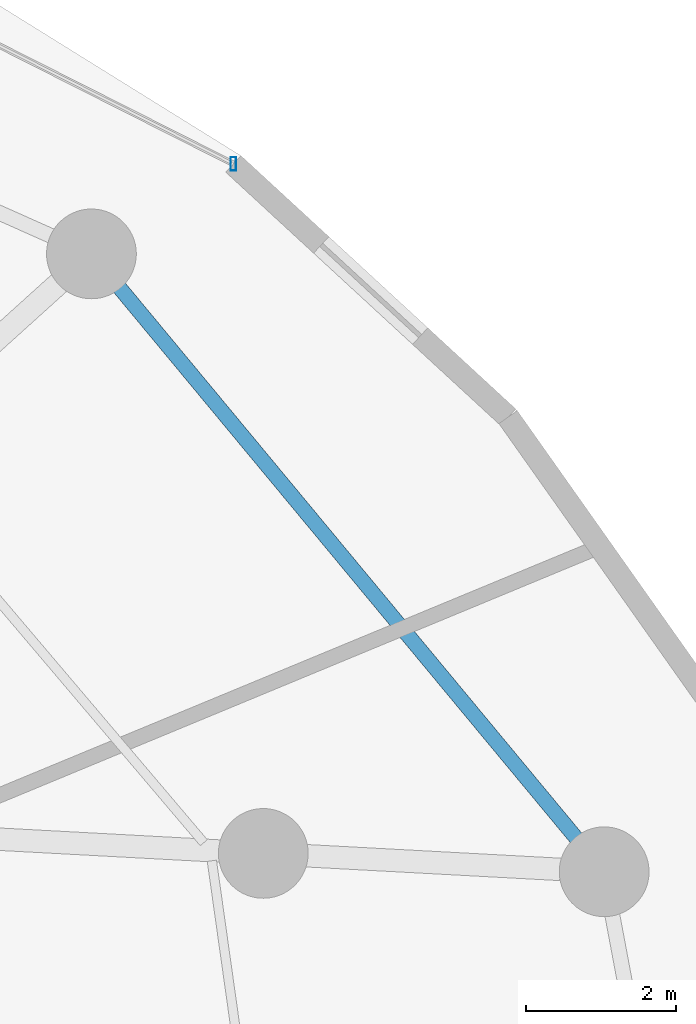
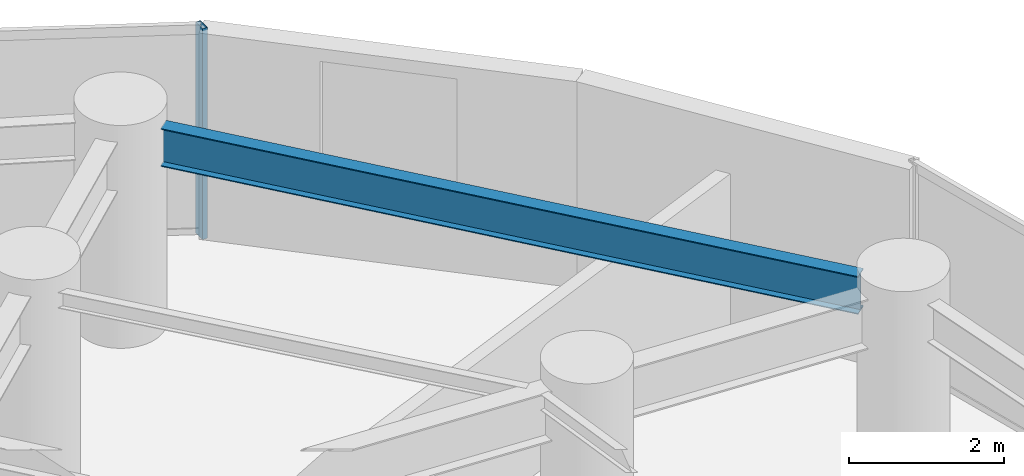
# One storey, part 25 of 35: 1 beam, 1 member, 1 element without a shape of its own.
"""IFC4 building model written with IfcOpenShell, lengths in metres."""

from ifc_helpers import new_model, si_unit, direction, frame, origin, origin_2d, place, context, subcontext, project, spatial, hollow_rectangle, i_section, extrude, material, material_profile, profile_set, type_object, element, aggregate, save


model = new_model("IFC4")

# Units and contexts
model_context = context("Model", 3, precision=1e-05, world=origin(), true_north=direction((0.0, 1.0)))
body_context = subcontext(model_context, "Body", "Model", "MODEL_VIEW")
ifc_project = project(units=[si_unit("LENGTHUNIT", "METRE"), si_unit("AREAUNIT", "SQUARE_METRE"), si_unit("VOLUMEUNIT", "CUBIC_METRE"), si_unit("PLANEANGLEUNIT", "RADIAN"), si_unit("MASSUNIT", "GRAM", prefix="KILO")], contexts=[model_context])

# Site, building, storey
site_placement = place(None, origin())
site = spatial("IfcSite", under=ifc_project, at=site_placement, CompositionType="ELEMENT")
building_placement = place(site_placement, origin())
building = spatial("IfcBuilding", under=site, at=building_placement, Name="Vorneva Point Tower", CompositionType="ELEMENT")
storey_placement = place(building_placement, frame((0.0, 0.0, 48.5)))
storey = spatial("IfcBuildingStorey", under=building, at=storey_placement, Name="L12", CompositionType="ELEMENT", Elevation=48.5)

# Beam
ifc_material_1 = material(Name="Steel S355", Category="steel")
ifc_material_profile_1 = material_profile(ifc_material_1, i_section(OverallWidth=0.198974609375, OverallDepth=0.595947265625, WebThickness=0.010009765625, FlangeThickness=0.014892578125, at=origin_2d()), Name="60B1")
ifc_profile_set_1 = profile_set([ifc_material_profile_1], Name="Steel S355")
beam_type = type_object("IfcBeamType", Name="BM-SPN-60B1", PredefinedType="SPANDREL", material=ifc_profile_set_1)
beam_placement = place(storey_placement, frame((63.48095703125, 32.786865234375, 2.94189453125), z_axis=(-0.63859176117, 0.769545685821, 0.0), x_axis=(-0.769545685821, -0.63859176117, 0.0)))
element("IfcBeam", 1, at=beam_placement, inside=storey, type_object=beam_type, Name="L12 Perimeter Spandrel Ring Beam 02", PredefinedType="SPANDREL", context=body_context, shape_type="SweptSolid", body=[
    extrude(i_section(OverallWidth=0.198974609375, OverallDepth=0.595947265625, WebThickness=0.010009765625, FlangeThickness=0.014892578125, at=origin_2d()), origin(), (0.0, 0.0, 1.0), 9.567626953125),
])

# Curtain wall, member
ifc_material_2 = material(Name="Pale anodised aluminium", Category="aluminium")
curtain_wall_type = type_object("IfcCurtainWallType", Name="CW-HTL-SYS", PredefinedType="NOTDEFINED", material=ifc_material_2)
curtain_wall_placement = place(storey_placement, origin())
curtain_wall = element("IfcCurtainWall", 2, at=curtain_wall_placement, inside=storey, type_object=curtain_wall_type, Name="L12 Unitised Curtain Wall CW-L12-R02", PredefinedType="NOTDEFINED")
ifc_material_profile_2 = material_profile(ifc_material_2, hollow_rectangle(XDim=0.074951171875, YDim=0.179931640625, WallThickness=0.00390625, at=origin_2d()), Name="AL-MUL 180x75x4")
ifc_profile_set_2 = profile_set([ifc_material_profile_2], Name="Pale anodised aluminium")
member_type = type_object("IfcMemberType", Name="CW-MUL-180", PredefinedType="MULLION", material=ifc_profile_set_2)
member_placement = place(storey_placement, frame((58.89501953125, 41.8037109375, -0.0400390625), z_axis=(0.0, 0.0, 1.0), x_axis=(1.0, 0.0, 0.0)))
member = element("IfcMember", 3, at=member_placement, type_object=member_type, Name="CW-L12-R02 Mullion 01", PredefinedType="MULLION", context=body_context, shape_type="SweptSolid", body=[
    extrude(hollow_rectangle(XDim=0.074951171875, YDim=0.179931640625, WallThickness=0.00390625, at=origin_2d()), origin(), (0.0, 0.0, 1.0), 3.31005859375),
])
aggregate(curtain_wall, [member])

save(model, "model.ifc")
